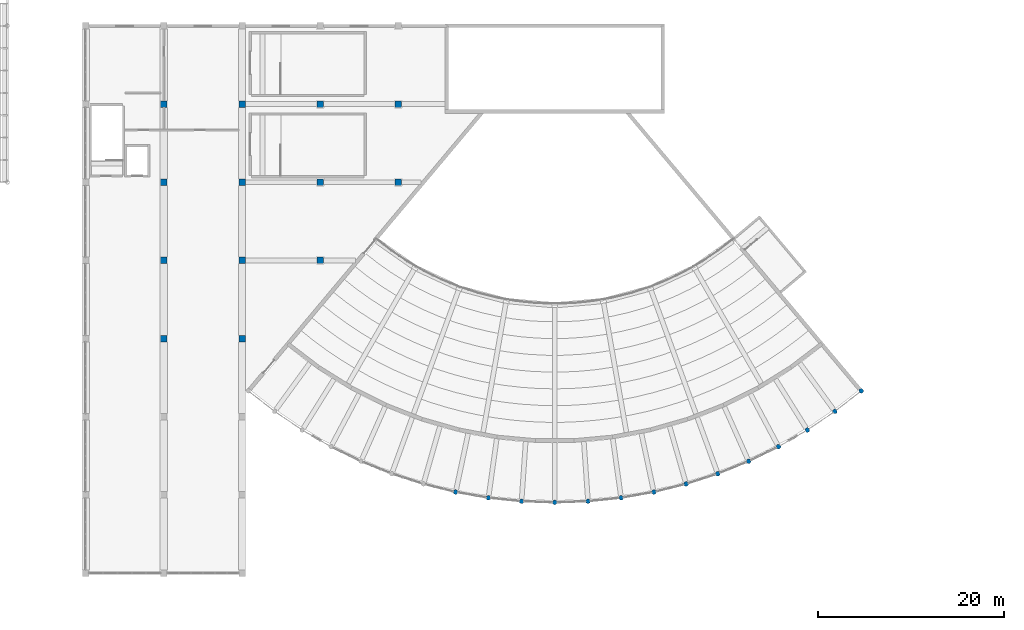
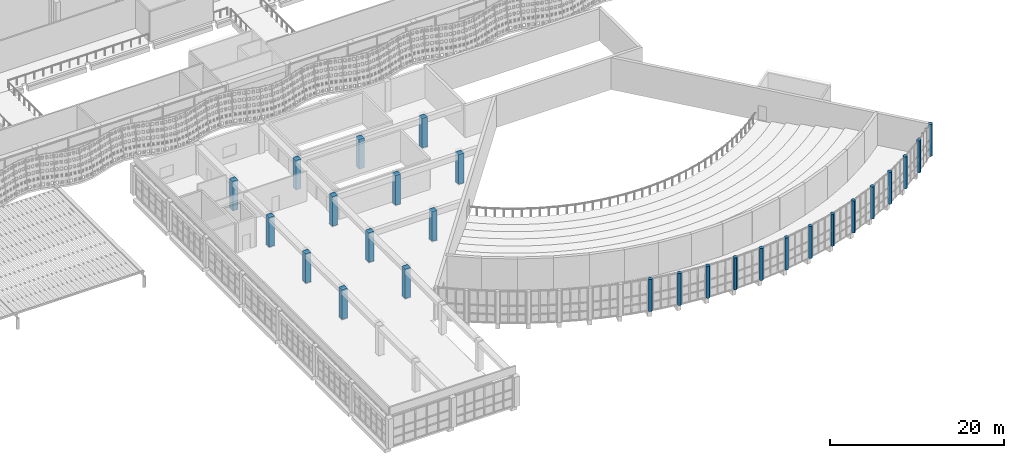
# One storey, part 11 of 162: 27 columns.
"""IFC4 building model written with IfcOpenShell, lengths in metres."""

import ifcopenshell
import ifcopenshell.guid

model = None  # the IFC model being written
_history = None  # IfcOwnerHistory: only IFC2X3 demands one
_inside = {}  # id of a spatial element -> (the spatial element, [elements in it])
_under = {}  # id of a project, library or spatial element -> (it, [spatial elements below it])
_declared = {}  # id of a project -> (the project, [libraries it declares])
_typed = {}  # id of a type object -> (the type object, [elements of that type])
_made_of = {}  # id of a material, layer set ... -> (it, [elements and type objects made of it])


def new_model(schema):
    """Start an empty IFC model of exactly this schema.

    Asked for "IFC4X3", IfcOpenShell would pick the latest addendum, in which some entities
    have other attributes; the version numbers below select the first issue.
    IFC2X3 requires an IfcOwnerHistory on every rooted entity: one is made here for all.
    """
    global model, _history
    if schema == "IFC4X3":
        model = ifcopenshell.file(schema_version=(4, 3, 0, 0))
    else:
        model = ifcopenshell.file(schema=schema)
    _inside.clear()
    _under.clear()
    _declared.clear()
    _typed.clear()
    _made_of.clear()
    _history = None
    if model.schema == "IFC2X3":
        org = make("IfcOrganization", Name="unknown")
        user = make(
            "IfcPersonAndOrganization",
            ThePerson=make("IfcPerson", FamilyName="unknown"),
            TheOrganization=org,
        )
        app = make(
            "IfcApplication",
            ApplicationDeveloper=org,
            Version="unknown",
            ApplicationFullName="unknown",
            ApplicationIdentifier="unknown",
        )
        _history = make(
            "IfcOwnerHistory",
            OwningUser=user,
            OwningApplication=app,
            ChangeAction="ADDED",
            CreationDate=0,
        )
    return model


def make(cls, **values):
    """One entity of the class cls with the attributes given. An attribute that is None is left unset."""
    return model.create_entity(
        cls, **{name: value for name, value in values.items() if value is not None}
    )


def rooted(cls, **values):
    """An entity with a GlobalId (a new one), such as an element, a storey or a relation."""
    return make(cls, GlobalId=ifcopenshell.guid.new(), OwnerHistory=_history, **values)


def si_unit(unit_type, name, prefix=None):
    """IfcSIUnit, for example si_unit("LENGTHUNIT", "METRE", prefix="MILLI")."""
    return make("IfcSIUnit", UnitType=unit_type, Prefix=prefix, Name=name)


def assignment(units):
    """IfcUnitAssignment: the units of a project."""
    return None if units is None else make("IfcUnitAssignment", Units=units)


def point(xyz):
    """IfcCartesianPoint."""
    return None if xyz is None else make("IfcCartesianPoint", Coordinates=xyz)


def direction(xyz):
    """IfcDirection."""
    return None if xyz is None else make("IfcDirection", DirectionRatios=xyz)


def frame(location, z_axis=None, x_axis=None):
    """IfcAxis2Placement3D, a coordinate frame: its origin and axes. An axis left out is left unset."""
    return make(
        "IfcAxis2Placement3D",
        Location=point(location),
        Axis=direction(z_axis),
        RefDirection=direction(x_axis),
    )


def frame_2d(location, x_axis=None):
    """IfcAxis2Placement2D, a coordinate frame in the plane: its origin and x axis."""
    return make(
        "IfcAxis2Placement2D", Location=point(location), RefDirection=direction(x_axis)
    )


def origin():
    """The frame at (0, 0, 0) with its axes left unset."""
    return frame((0.0, 0.0, 0.0))


def origin_2d():
    """The frame at (0, 0) in the plane with its x axis left unset."""
    return frame_2d((0.0, 0.0))


def place(relative_to, where):
    """IfcLocalPlacement: puts the frame where relative to a parent placement (None: the world)."""
    return make(
        "IfcLocalPlacement", PlacementRelTo=relative_to, RelativePlacement=where
    )


def context(
    kind, dimensions, precision=None, world=None, true_north=None, identifier=None
):
    """IfcGeometricRepresentationContext, for example the 3D "Model" context."""
    return make(
        "IfcGeometricRepresentationContext",
        ContextIdentifier=identifier,
        ContextType=kind,
        CoordinateSpaceDimension=dimensions,
        Precision=precision,
        WorldCoordinateSystem=world,
        TrueNorth=true_north,
    )


def subcontext(parent, identifier, kind, view, scale=None):
    """IfcGeometricRepresentationSubContext, for example "Body" below "Model"."""
    return make(
        "IfcGeometricRepresentationSubContext",
        ContextIdentifier=identifier,
        ContextType=kind,
        ParentContext=parent,
        TargetScale=scale,
        TargetView=view,
    )


def project(units=None, contexts=None):
    """IfcProject with its units and contexts."""
    return rooted(
        "IfcProject",
        Name="project",
        RepresentationContexts=contexts,
        UnitsInContext=assignment(units),
    )


def spatial(cls, under=None, at=None, **own):
    """A site, building, storey or space (cls), placed at a placement, below another one or the project."""
    s = rooted(cls, ObjectPlacement=at, **own)
    if under is not None:
        _under.setdefault(under.id(), (under, []))[1].append(s)
    return s


def profile(cls, at=None, kind="AREA", **sizes):
    """A parametric profile (cls). Its sizes go by their IFC names, for example OverallWidth=200.0."""
    return make(cls, ProfileType=kind, Position=at, **sizes)


def rectangle(**sizes):
    """IfcRectangleProfileDef."""
    return profile("IfcRectangleProfileDef", **sizes)


def circle(**sizes):
    """IfcCircleProfileDef."""
    return profile("IfcCircleProfileDef", **sizes)


def extrude(swept, where, along, depth):
    """IfcExtrudedAreaSolid: the profile swept, set in the frame where, extruded along a direction by depth."""
    return make(
        "IfcExtrudedAreaSolid",
        SweptArea=swept,
        Position=where,
        ExtrudedDirection=direction(along),
        Depth=depth,
    )


def shape(context_of_items, identifier, shape_type, items):
    """IfcShapeRepresentation: the items that make up one representation, for example the "Body"."""
    return make(
        "IfcShapeRepresentation",
        ContextOfItems=context_of_items,
        RepresentationIdentifier=identifier,
        RepresentationType=shape_type,
        Items=items,
    )


def material(Name=None, Category=None):
    """IfcMaterial."""
    return make("IfcMaterial", Name=Name, Category=Category)


def material_profile(
    of_material, cross_section, Name=None, Category=None, Priority=None
):
    """IfcMaterialProfile: a cross section and its material."""
    return make(
        "IfcMaterialProfile",
        Name=Name,
        Material=of_material,
        Profile=cross_section,
        Priority=Priority,
        Category=Category,
    )


def profile_set(profiles, Name=None, composite=None):
    """IfcMaterialProfileSet."""
    return make(
        "IfcMaterialProfileSet",
        Name=Name,
        MaterialProfiles=profiles,
        CompositeProfile=composite,
    )


def made_of(thing, what):
    """Note that an element or type object is made of a material, layer set ...; save() writes the relation."""
    if what is not None:
        _made_of.setdefault(what.id(), (what, []))[1].append(thing)
    return thing


def type_object(cls, material=None, **own):
    """A type object (cls), such as IfcWallType, which elements share."""
    return made_of(rooted(cls, **own), material)


def element(
    cls,
    number,
    at=None,
    inside=None,
    cuts=None,
    type_object=None,
    material=None,
    context=None,
    identifier="Body",
    shape_type=None,
    held_by="IfcProductDefinitionShape",
    body=None,
    shapes=None,
    **own,
):
    """One element of the class cls, such as IfcWall. Its Tag is "e" and its number.

    at: its placement. inside: the storey or other place that contains it. cuts: it is an
    opening in that element (IfcRelVoidsElement). A single representation is given by context,
    identifier, shape_type and body (its items); several are given by shapes. held_by: the class
    of the entity that holds the representations. save() writes the other relations.
    """
    e = rooted(cls, Tag="e%d" % number, ObjectPlacement=at, **own)
    if body is not None:
        shapes = [shape(context, identifier, shape_type, body)]
    if shapes is not None:
        e.Representation = make(held_by, Representations=shapes)
    if inside is not None:
        _inside.setdefault(inside.id(), (inside, []))[1].append(e)
    if cuts is not None:
        rooted(
            "IfcRelVoidsElement", RelatingBuildingElement=cuts, RelatedOpeningElement=e
        )
    if type_object is not None:
        _typed.setdefault(type_object.id(), (type_object, []))[1].append(e)
    return made_of(e, material)


def aggregate(whole, parts):
    """IfcRelAggregates: a whole, such as a stair, and the parts it consists of."""
    return rooted("IfcRelAggregates", RelatingObject=whole, RelatedObjects=parts)


def save(model, path):
    """Write the relations noted so far, then the file.

    IfcRelAggregates (storeys below a building ...), IfcRelContainedInSpatialStructure (elements
    in a storey), IfcRelDefinesByType, IfcRelAssociatesMaterial and IfcRelDeclares: one each for
    every whole, place, type object, material and project.
    """
    for whole, parts in _under.values():
        aggregate(whole, parts)
    for where, things in _inside.values():
        rooted(
            "IfcRelContainedInSpatialStructure",
            RelatedElements=things,
            RelatingStructure=where,
        )
    for kind, things in _typed.values():
        rooted("IfcRelDefinesByType", RelatedObjects=things, RelatingType=kind)
    for what, things in _made_of.values():
        rooted("IfcRelAssociatesMaterial", RelatedObjects=things, RelatingMaterial=what)
    for by, libraries in _declared.values():
        rooted("IfcRelDeclares", RelatingContext=by, RelatedDefinitions=libraries)
    model.write(path)


model = new_model("IFC4")

# Units and contexts
model_context = context("Model", 3, precision=1e-05, world=origin(), true_north=direction((0.0, 1.0)))
body_context = subcontext(model_context, "Body", "Model", "MODEL_VIEW")
ifc_project = project(units=[si_unit("LENGTHUNIT", "METRE"), si_unit("AREAUNIT", "SQUARE_METRE"), si_unit("VOLUMEUNIT", "CUBIC_METRE"), si_unit("PLANEANGLEUNIT", "RADIAN"), si_unit("MASSUNIT", "GRAM", prefix="KILO")], contexts=[model_context])

# Site, building, storey
site_placement = place(None, origin())
site = spatial("IfcSite", under=ifc_project, at=site_placement, CompositionType="ELEMENT")
building_placement = place(site_placement, origin())
building = spatial("IfcBuilding", under=site, at=building_placement, Name="Rain Tree Exposition and Congress Centre", CompositionType="ELEMENT")
storey_placement = place(building_placement, frame((0.0, 0.0, 6.0)))
storey = spatial("IfcBuildingStorey", under=building, at=storey_placement, Name="L01", CompositionType="ELEMENT", Elevation=6.0)

# Columns
ifc_material_1 = material(Name="Precast concrete C50/60", Category="concrete")
ifc_material_profile_1 = material_profile(ifc_material_1, rectangle(XDim=0.699951171875, YDim=0.699951171875, at=origin_2d()), Name="RC 700x700")
ifc_profile_set_1 = profile_set([ifc_material_profile_1], Name="Precast concrete C50/60")
column_type_1 = type_object("IfcColumnType", Name="Precast column 700x700", PredefinedType="COLUMN", material=ifc_profile_set_1)
for number, where, z_axis, x_axis, name in (
    (1, (159.60009765625, 33.60009765625, 0.0), (0.0, 0.0, 1.0), (1.0, 0.0, 0.0), "CF159.6-33.6"),
    (2, (159.60009765625, 42.0, 0.0), (0.0, 0.0, 1.0), (1.0, 0.0, 0.0), "CF159.6-42"),
    (3, (159.60009765625, 50.39990234375, 0.0), (0.0, 0.0, 1.0), (1.0, 0.0, 0.0), "CF159.6-50.4"),
    (4, (159.60009765625, 58.800048828125, 0.0), (0.0, 0.0, 1.0), (1.0, 0.0, 0.0), "CF159.6-58.8"),
    (5, (168.0, 33.60009765625, 0.0), (0.0, 0.0, 1.0), (1.0, 0.0, 0.0), "CF168-33.6"),
    (6, (168.0, 42.0, 0.0), (0.0, 0.0, 1.0), (1.0, 0.0, 0.0), "CF168-42"),
    (7, (168.0, 50.39990234375, 0.0), (0.0, 0.0, 1.0), (1.0, 0.0, 0.0), "CF168-50.4"),
    (8, (168.0, 58.800048828125, 0.0), (0.0, 0.0, 1.0), (1.0, 0.0, 0.0), "CF168-58.8"),
    (9, (176.39990234375, 42.0, 0.0), (0.0, 0.0, 1.0), (1.0, 0.0, 0.0), "CF176.4-42"),
    (10, (176.39990234375, 50.39990234375, 0.0), (0.0, 0.0, 1.0), (1.0, 0.0, 0.0), "CF176.4-50.4"),
    (11, (184.800048828125, 50.39990234375, 0.0), (0.0, 0.0, 1.0), (1.0, 0.0, 0.0), "CF184.8-50.4"),
    (12, (176.39990234375, 58.800048828125, 0.0), (0.0, 0.0, 1.0), (1.0, 0.0, 0.0), "CF176.4-58.8"),
    (13, (184.800048828125, 58.800048828125, 0.0), (0.0, 0.0, 1.0), (1.0, 0.0, 0.0), "CF184.8-58.8"),
):
    element("IfcColumn", number, at=place(storey_placement, frame(where, z_axis=z_axis, x_axis=x_axis)), inside=storey, type_object=column_type_1, Name=name, PredefinedType="COLUMN", context=body_context, shape_type="SweptSolid", body=[
        extrude(rectangle(XDim=0.699951171875, YDim=0.699951171875, at=origin_2d()), origin(), (0.0, 0.0, 1.0), 4.199951171875),
    ])
ifc_material_2 = material(Name="Precast concrete C50/60", Category="concrete")
ifc_material_profile_2 = material_profile(ifc_material_2, circle(Radius=0.25, at=origin_2d()), Name="RC D500")
ifc_profile_set_2 = profile_set([ifc_material_profile_2], Name="Precast concrete C50/60")
column_type_2 = type_object("IfcColumnType", Name="Precast round column 500", PredefinedType="COLUMN", material=ifc_profile_set_2)
for number, where, z_axis, x_axis, name in (
    (14, (190.954833984375, 17.118896484375, 0.0), (0.0, 0.0, 1.0), (1.0, 0.0, 0.0), "CA8"),
    (15, (194.474365234375, 16.498291015625, 0.0), (0.0, 0.0, 1.0), (1.0, 0.0, 0.0), "CA9"),
    (16, (198.028564453125, 16.124755859375, 0.0), (0.0, 0.0, 1.0), (1.0, 0.0, 0.0), "CA10"),
    (17, (201.60009765625, 16.0, 0.0), (0.0, 0.0, 1.0), (1.0, 0.0, 0.0), "CA11"),
    (18, (205.17138671875, 16.124755859375, 0.0), (0.0, 0.0, 1.0), (1.0, 0.0, 0.0), "CA12"),
    (19, (208.7255859375, 16.498291015625, 0.0), (0.0, 0.0, 1.0), (1.0, 0.0, 0.0), "CA13"),
    (20, (212.2451171875, 17.118896484375, 0.0), (0.0, 0.0, 1.0), (1.0, 0.0, 0.0), "CA14"),
    (21, (215.712646484375, 17.9833984375, 0.0), (0.0, 0.0, 1.0), (1.0, 0.0, 0.0), "CA15"),
    (22, (219.111328125, 19.087646484375, 0.0), (0.0, 0.0, 1.0), (1.0, 0.0, 0.0), "CA16"),
    (23, (222.4248046875, 20.426513671875, 0.0), (0.0, 0.0, 1.0), (1.0, 0.0, 0.0), "CA17"),
    (24, (225.636962890625, 21.9931640625, 0.0), (0.0, 0.0, 1.0), (1.0, 0.0, 0.0), "CA18"),
    (25, (228.73193359375, 23.77978515625, 0.0), (0.0, 0.0, 1.0), (1.0, 0.0, 0.0), "CA19"),
    (26, (231.694580078125, 25.7783203125, 0.0), (0.0, 0.0, 1.0), (1.0, 0.0, 0.0), "CA20"),
    (27, (234.5107421875, 27.978515625, 0.0), (0.0, 0.0, 1.0), (1.0, 0.0, 0.0), "CA21"),
):
    element("IfcColumn", number, at=place(storey_placement, frame(where, z_axis=z_axis, x_axis=x_axis)), inside=storey, type_object=column_type_2, Name=name, PredefinedType="COLUMN", context=body_context, shape_type="SweptSolid", body=[
        extrude(circle(Radius=0.25, at=origin_2d()), origin(), (0.0, 0.0, 1.0), 4.5),
    ])

save(model, "model.ifc")
